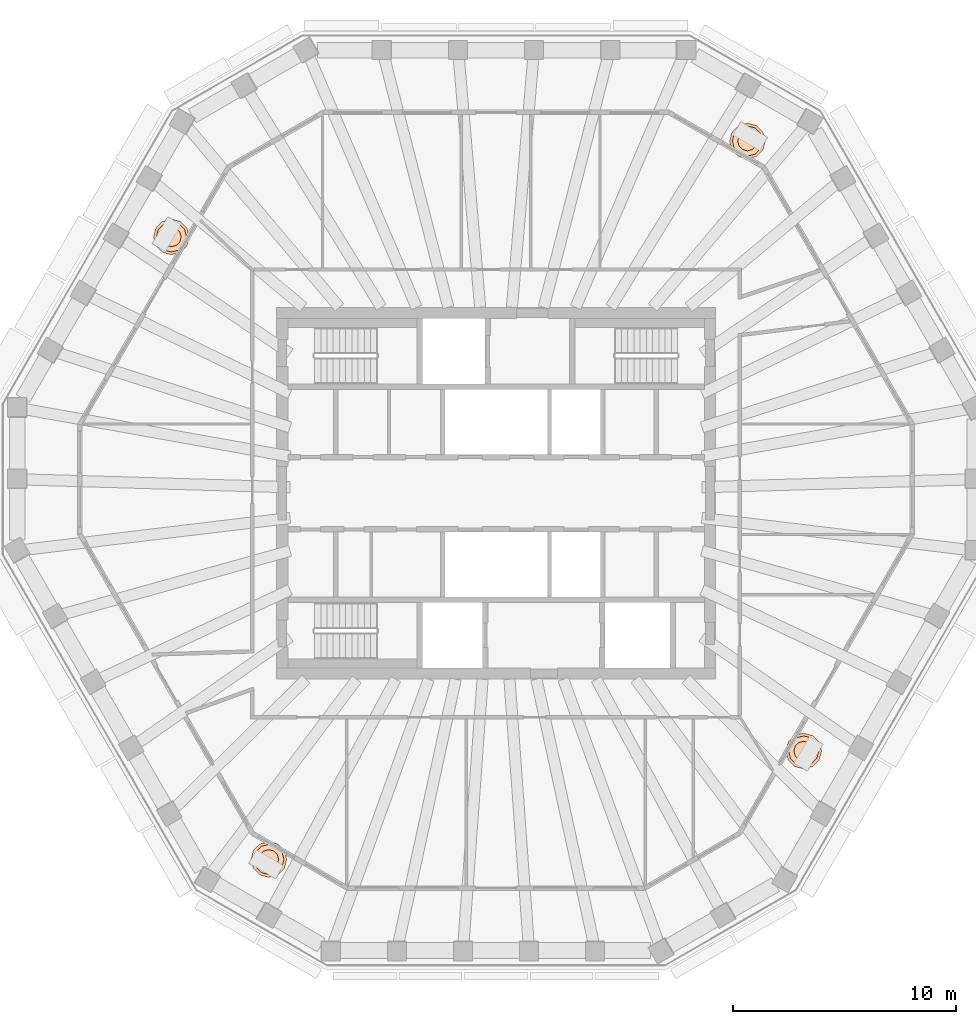
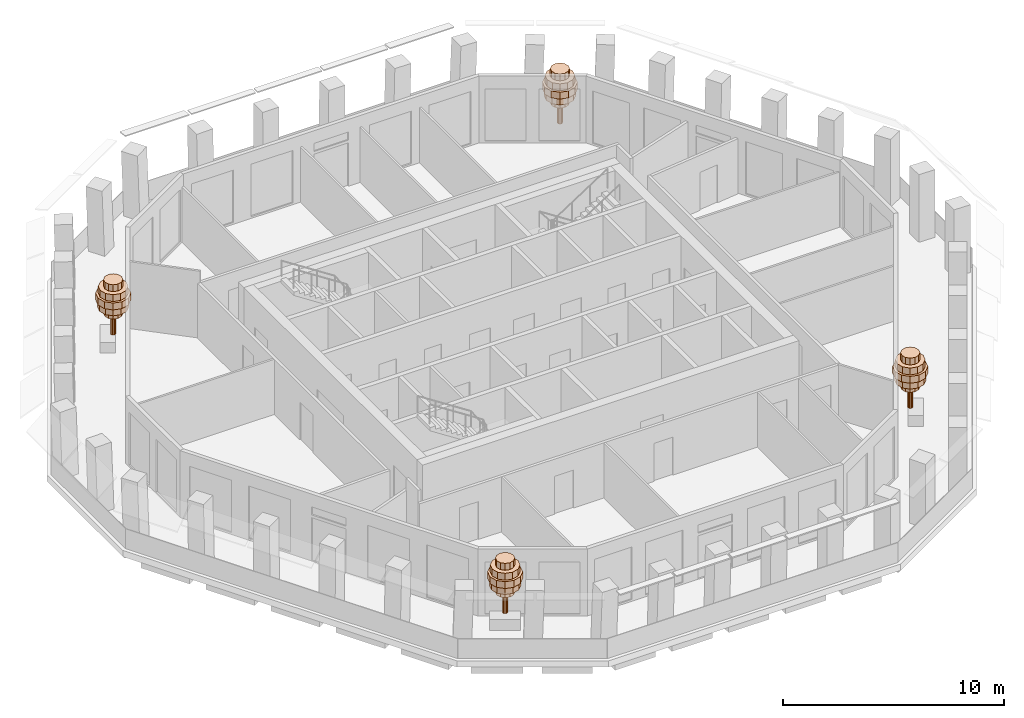
# One storey, part 11 of 11: 4 geographic elements.
"""IFC4 building model written with IfcOpenShell, lengths in metres."""

from ifc_helpers import new_model, si_unit, direction, frame, origin, place, context, subcontext, project, spatial, polyline, outline, extrude, material, type_object, element, save


model = new_model("IFC4")

# Units and contexts
model_context = context("Model", 3, precision=1e-05, world=origin(), true_north=direction((0.0, 1.0)))
body_context = subcontext(model_context, "Body", "Model", "MODEL_VIEW")
ifc_project = project(units=[si_unit("LENGTHUNIT", "METRE"), si_unit("AREAUNIT", "SQUARE_METRE"), si_unit("VOLUMEUNIT", "CUBIC_METRE"), si_unit("PLANEANGLEUNIT", "RADIAN"), si_unit("MASSUNIT", "GRAM", prefix="KILO")], contexts=[model_context])

# Site, building, storey
site_placement = place(None, origin())
site = spatial("IfcSite", under=ifc_project, at=site_placement, CompositionType="ELEMENT")
building_placement = place(site_placement, origin())
building = spatial("IfcBuilding", under=site, at=building_placement, Name="Frailejon Research Tower", CompositionType="ELEMENT")
storey_placement = place(building_placement, frame((0.0, 0.0, 328.60009765625)))
storey = spatial("IfcBuildingStorey", under=building, at=storey_placement, Name="L73", CompositionType="ELEMENT", Elevation=328.60009765625)

# Geographic elements
ifc_material = material(Name="Foliage, green")
geographic_element_type = type_object("IfcGeographicElementType", Name="Frailejon tree, loggia", PredefinedType="USERDEFINED", material=ifc_material)
geographic_element_1_placement = place(storey_placement, frame((11.28955078125, 15.814453125, 0.599853515625)))
element("IfcGeographicElement", 1, at=geographic_element_1_placement, inside=storey, type_object=geographic_element_type, Name="Tree L73", ObjectType="TREE", PredefinedType="USERDEFINED", context=body_context, shape_type="SweptSolid", body=[
    extrude(outline(polyline([(0.1298828125, 0.0), (0.112548828125, 0.06494140625), (0.06494140625, 0.112548828125), (0.0, 0.1298828125), (-0.06494140625, 0.112548828125), (-0.112548828125, 0.06494140625), (-0.1298828125, 0.0), (-0.112548828125, -0.06494140625), (-0.06494140625, -0.112548828125), (0.0, -0.1298828125), (0.06494140625, -0.112548828125), (0.112548828125, -0.06494140625), (0.1298828125, 0.0)])), origin(), (0.0, 0.0, 1.0), 2.239990234375),
    extrude(outline(polyline([(0.43994140625, 0.0), (0.381103515625, 0.219970703125), (0.219970703125, 0.381103515625), (0.0, 0.43994140625), (-0.219970703125, 0.381103515625), (-0.381103515625, 0.219970703125), (-0.43994140625, 0.0), (-0.381103515625, -0.219970703125), (-0.219970703125, -0.381103515625), (0.0, -0.43994140625), (0.219970703125, -0.381103515625), (0.381103515625, -0.219970703125), (0.43994140625, 0.0)])), frame((0.0, 0.0, 1.10009765625)), (0.0, 0.0, 1.0), 0.3798828125),
    extrude(outline(polyline([(0.719970703125, 0.0), (0.62353515625, 0.360107421875), (0.360107421875, 0.62353515625), (0.0, 0.719970703125), (-0.360107421875, 0.62353515625), (-0.62353515625, 0.360107421875), (-0.719970703125, 0.0), (-0.62353515625, -0.360107421875), (-0.360107421875, -0.62353515625), (0.0, -0.719970703125), (0.360107421875, -0.62353515625), (0.62353515625, -0.360107421875), (0.719970703125, 0.0)])), frame((0.0, 0.0, 1.47998046875)), (0.0, 0.0, 1.0), 0.3798828125),
    extrude(outline(polyline([(0.800048828125, 0.0), (0.69287109375, 0.39990234375), (0.39990234375, 0.69287109375), (0.0, 0.800048828125), (-0.39990234375, 0.69287109375), (-0.69287109375, 0.39990234375), (-0.800048828125, 0.0), (-0.69287109375, -0.39990234375), (-0.39990234375, -0.69287109375), (0.0, -0.800048828125), (0.39990234375, -0.69287109375), (0.69287109375, -0.39990234375), (0.800048828125, 0.0)])), frame((0.0, 0.0, 1.860107421875)), (0.0, 0.0, 1.0), 0.3798828125),
    extrude(outline(polyline([(0.679931640625, 0.0), (0.5888671875, 0.340087890625), (0.340087890625, 0.5888671875), (0.0, 0.679931640625), (-0.340087890625, 0.5888671875), (-0.5888671875, 0.340087890625), (-0.679931640625, 0.0), (-0.5888671875, -0.340087890625), (-0.340087890625, -0.5888671875), (0.0, -0.679931640625), (0.340087890625, -0.5888671875), (0.5888671875, -0.340087890625), (0.679931640625, 0.0)])), frame((0.0, 0.0, 2.239990234375)), (0.0, 0.0, 1.0), 0.3798828125),
    extrude(outline(polyline([(0.43994140625, 0.0), (0.381103515625, 0.219970703125), (0.219970703125, 0.381103515625), (0.0, 0.43994140625), (-0.219970703125, 0.381103515625), (-0.381103515625, 0.219970703125), (-0.43994140625, 0.0), (-0.381103515625, -0.219970703125), (-0.219970703125, -0.381103515625), (0.0, -0.43994140625), (0.219970703125, -0.381103515625), (0.381103515625, -0.219970703125), (0.43994140625, 0.0)])), frame((0.0, 0.0, 2.6201171875)), (0.0, 0.0, 1.0), 0.3798828125),
])
geographic_element_2_placement = place(storey_placement, frame((-14.576171875, 11.510498046875, 0.599853515625)))
element("IfcGeographicElement", 2, at=geographic_element_2_placement, inside=storey, type_object=geographic_element_type, Name="Tree L73", ObjectType="TREE", PredefinedType="USERDEFINED", context=body_context, shape_type="SweptSolid", body=[
    extrude(outline(polyline([(0.1298828125, 0.0), (0.112548828125, 0.06494140625), (0.06494140625, 0.112548828125), (0.0, 0.1298828125), (-0.06494140625, 0.112548828125), (-0.112548828125, 0.06494140625), (-0.1298828125, 0.0), (-0.112548828125, -0.06494140625), (-0.06494140625, -0.112548828125), (0.0, -0.1298828125), (0.06494140625, -0.112548828125), (0.112548828125, -0.06494140625), (0.1298828125, 0.0)])), origin(), (0.0, 0.0, 1.0), 2.239990234375),
    extrude(outline(polyline([(0.43994140625, 0.0), (0.381103515625, 0.219970703125), (0.219970703125, 0.381103515625), (0.0, 0.43994140625), (-0.219970703125, 0.381103515625), (-0.381103515625, 0.219970703125), (-0.43994140625, 0.0), (-0.381103515625, -0.219970703125), (-0.219970703125, -0.381103515625), (0.0, -0.43994140625), (0.219970703125, -0.381103515625), (0.381103515625, -0.219970703125), (0.43994140625, 0.0)])), frame((0.0, 0.0, 1.10009765625)), (0.0, 0.0, 1.0), 0.3798828125),
    extrude(outline(polyline([(0.719970703125, 0.0), (0.62353515625, 0.360107421875), (0.360107421875, 0.62353515625), (0.0, 0.719970703125), (-0.360107421875, 0.62353515625), (-0.62353515625, 0.360107421875), (-0.719970703125, 0.0), (-0.62353515625, -0.360107421875), (-0.360107421875, -0.62353515625), (0.0, -0.719970703125), (0.360107421875, -0.62353515625), (0.62353515625, -0.360107421875), (0.719970703125, 0.0)])), frame((0.0, 0.0, 1.47998046875)), (0.0, 0.0, 1.0), 0.3798828125),
    extrude(outline(polyline([(0.800048828125, 0.0), (0.69287109375, 0.39990234375), (0.39990234375, 0.69287109375), (0.0, 0.800048828125), (-0.39990234375, 0.69287109375), (-0.69287109375, 0.39990234375), (-0.800048828125, 0.0), (-0.69287109375, -0.39990234375), (-0.39990234375, -0.69287109375), (0.0, -0.800048828125), (0.39990234375, -0.69287109375), (0.69287109375, -0.39990234375), (0.800048828125, 0.0)])), frame((0.0, 0.0, 1.860107421875)), (0.0, 0.0, 1.0), 0.3798828125),
    extrude(outline(polyline([(0.679931640625, 0.0), (0.5888671875, 0.340087890625), (0.340087890625, 0.5888671875), (0.0, 0.679931640625), (-0.340087890625, 0.5888671875), (-0.5888671875, 0.340087890625), (-0.679931640625, 0.0), (-0.5888671875, -0.340087890625), (-0.340087890625, -0.5888671875), (0.0, -0.679931640625), (0.340087890625, -0.5888671875), (0.5888671875, -0.340087890625), (0.679931640625, 0.0)])), frame((0.0, 0.0, 2.239990234375)), (0.0, 0.0, 1.0), 0.3798828125),
    extrude(outline(polyline([(0.43994140625, 0.0), (0.381103515625, 0.219970703125), (0.219970703125, 0.381103515625), (0.0, 0.43994140625), (-0.219970703125, 0.381103515625), (-0.381103515625, 0.219970703125), (-0.43994140625, 0.0), (-0.381103515625, -0.219970703125), (-0.219970703125, -0.381103515625), (0.0, -0.43994140625), (0.219970703125, -0.381103515625), (0.381103515625, -0.219970703125), (0.43994140625, 0.0)])), frame((0.0, 0.0, 2.6201171875)), (0.0, 0.0, 1.0), 0.3798828125),
])
geographic_element_3_placement = place(storey_placement, frame((-10.200927734375, -16.44287109375, 0.599853515625)))
element("IfcGeographicElement", 3, at=geographic_element_3_placement, inside=storey, type_object=geographic_element_type, Name="Tree L73", ObjectType="TREE", PredefinedType="USERDEFINED", context=body_context, shape_type="SweptSolid", body=[
    extrude(outline(polyline([(0.1298828125, 0.0), (0.112548828125, 0.06494140625), (0.06494140625, 0.112548828125), (0.0, 0.1298828125), (-0.06494140625, 0.112548828125), (-0.112548828125, 0.06494140625), (-0.1298828125, 0.0), (-0.112548828125, -0.06494140625), (-0.06494140625, -0.112548828125), (0.0, -0.1298828125), (0.06494140625, -0.112548828125), (0.112548828125, -0.06494140625), (0.1298828125, 0.0)])), origin(), (0.0, 0.0, 1.0), 2.239990234375),
    extrude(outline(polyline([(0.43994140625, 0.0), (0.381103515625, 0.219970703125), (0.219970703125, 0.381103515625), (0.0, 0.43994140625), (-0.219970703125, 0.381103515625), (-0.381103515625, 0.219970703125), (-0.43994140625, 0.0), (-0.381103515625, -0.219970703125), (-0.219970703125, -0.381103515625), (0.0, -0.43994140625), (0.219970703125, -0.381103515625), (0.381103515625, -0.219970703125), (0.43994140625, 0.0)])), frame((0.0, 0.0, 1.10009765625)), (0.0, 0.0, 1.0), 0.3798828125),
    extrude(outline(polyline([(0.719970703125, 0.0), (0.62353515625, 0.360107421875), (0.360107421875, 0.62353515625), (0.0, 0.719970703125), (-0.360107421875, 0.62353515625), (-0.62353515625, 0.360107421875), (-0.719970703125, 0.0), (-0.62353515625, -0.360107421875), (-0.360107421875, -0.62353515625), (0.0, -0.719970703125), (0.360107421875, -0.62353515625), (0.62353515625, -0.360107421875), (0.719970703125, 0.0)])), frame((0.0, 0.0, 1.47998046875)), (0.0, 0.0, 1.0), 0.3798828125),
    extrude(outline(polyline([(0.800048828125, 0.0), (0.69287109375, 0.39990234375), (0.39990234375, 0.69287109375), (0.0, 0.800048828125), (-0.39990234375, 0.69287109375), (-0.69287109375, 0.39990234375), (-0.800048828125, 0.0), (-0.69287109375, -0.39990234375), (-0.39990234375, -0.69287109375), (0.0, -0.800048828125), (0.39990234375, -0.69287109375), (0.69287109375, -0.39990234375), (0.800048828125, 0.0)])), frame((0.0, 0.0, 1.860107421875)), (0.0, 0.0, 1.0), 0.3798828125),
    extrude(outline(polyline([(0.679931640625, 0.0), (0.5888671875, 0.340087890625), (0.340087890625, 0.5888671875), (0.0, 0.679931640625), (-0.340087890625, 0.5888671875), (-0.5888671875, 0.340087890625), (-0.679931640625, 0.0), (-0.5888671875, -0.340087890625), (-0.340087890625, -0.5888671875), (0.0, -0.679931640625), (0.340087890625, -0.5888671875), (0.5888671875, -0.340087890625), (0.679931640625, 0.0)])), frame((0.0, 0.0, 2.239990234375)), (0.0, 0.0, 1.0), 0.3798828125),
    extrude(outline(polyline([(0.43994140625, 0.0), (0.381103515625, 0.219970703125), (0.219970703125, 0.381103515625), (0.0, 0.43994140625), (-0.219970703125, 0.381103515625), (-0.381103515625, 0.219970703125), (-0.43994140625, 0.0), (-0.381103515625, -0.219970703125), (-0.219970703125, -0.381103515625), (0.0, -0.43994140625), (0.219970703125, -0.381103515625), (0.381103515625, -0.219970703125), (0.43994140625, 0.0)])), frame((0.0, 0.0, 2.6201171875)), (0.0, 0.0, 1.0), 0.3798828125),
])
geographic_element_4_placement = place(storey_placement, frame((13.81396484375, -11.573486328125, 0.599853515625)))
element("IfcGeographicElement", 4, at=geographic_element_4_placement, inside=storey, type_object=geographic_element_type, Name="Tree L73", ObjectType="TREE", PredefinedType="USERDEFINED", context=body_context, shape_type="SweptSolid", body=[
    extrude(outline(polyline([(0.1298828125, 0.0), (0.112548828125, 0.06494140625), (0.06494140625, 0.112548828125), (0.0, 0.1298828125), (-0.06494140625, 0.112548828125), (-0.112548828125, 0.06494140625), (-0.1298828125, 0.0), (-0.112548828125, -0.06494140625), (-0.06494140625, -0.112548828125), (0.0, -0.1298828125), (0.06494140625, -0.112548828125), (0.112548828125, -0.06494140625), (0.1298828125, 0.0)])), origin(), (0.0, 0.0, 1.0), 2.239990234375),
    extrude(outline(polyline([(0.43994140625, 0.0), (0.381103515625, 0.219970703125), (0.219970703125, 0.381103515625), (0.0, 0.43994140625), (-0.219970703125, 0.381103515625), (-0.381103515625, 0.219970703125), (-0.43994140625, 0.0), (-0.381103515625, -0.219970703125), (-0.219970703125, -0.381103515625), (0.0, -0.43994140625), (0.219970703125, -0.381103515625), (0.381103515625, -0.219970703125), (0.43994140625, 0.0)])), frame((0.0, 0.0, 1.10009765625)), (0.0, 0.0, 1.0), 0.3798828125),
    extrude(outline(polyline([(0.719970703125, 0.0), (0.62353515625, 0.360107421875), (0.360107421875, 0.62353515625), (0.0, 0.719970703125), (-0.360107421875, 0.62353515625), (-0.62353515625, 0.360107421875), (-0.719970703125, 0.0), (-0.62353515625, -0.360107421875), (-0.360107421875, -0.62353515625), (0.0, -0.719970703125), (0.360107421875, -0.62353515625), (0.62353515625, -0.360107421875), (0.719970703125, 0.0)])), frame((0.0, 0.0, 1.47998046875)), (0.0, 0.0, 1.0), 0.3798828125),
    extrude(outline(polyline([(0.800048828125, 0.0), (0.69287109375, 0.39990234375), (0.39990234375, 0.69287109375), (0.0, 0.800048828125), (-0.39990234375, 0.69287109375), (-0.69287109375, 0.39990234375), (-0.800048828125, 0.0), (-0.69287109375, -0.39990234375), (-0.39990234375, -0.69287109375), (0.0, -0.800048828125), (0.39990234375, -0.69287109375), (0.69287109375, -0.39990234375), (0.800048828125, 0.0)])), frame((0.0, 0.0, 1.860107421875)), (0.0, 0.0, 1.0), 0.3798828125),
    extrude(outline(polyline([(0.679931640625, 0.0), (0.5888671875, 0.340087890625), (0.340087890625, 0.5888671875), (0.0, 0.679931640625), (-0.340087890625, 0.5888671875), (-0.5888671875, 0.340087890625), (-0.679931640625, 0.0), (-0.5888671875, -0.340087890625), (-0.340087890625, -0.5888671875), (0.0, -0.679931640625), (0.340087890625, -0.5888671875), (0.5888671875, -0.340087890625), (0.679931640625, 0.0)])), frame((0.0, 0.0, 2.239990234375)), (0.0, 0.0, 1.0), 0.3798828125),
    extrude(outline(polyline([(0.43994140625, 0.0), (0.381103515625, 0.219970703125), (0.219970703125, 0.381103515625), (0.0, 0.43994140625), (-0.219970703125, 0.381103515625), (-0.381103515625, 0.219970703125), (-0.43994140625, 0.0), (-0.381103515625, -0.219970703125), (-0.219970703125, -0.381103515625), (0.0, -0.43994140625), (0.219970703125, -0.381103515625), (0.381103515625, -0.219970703125), (0.43994140625, 0.0)])), frame((0.0, 0.0, 2.6201171875)), (0.0, 0.0, 1.0), 0.3798828125),
])

save(model, "model.ifc")
